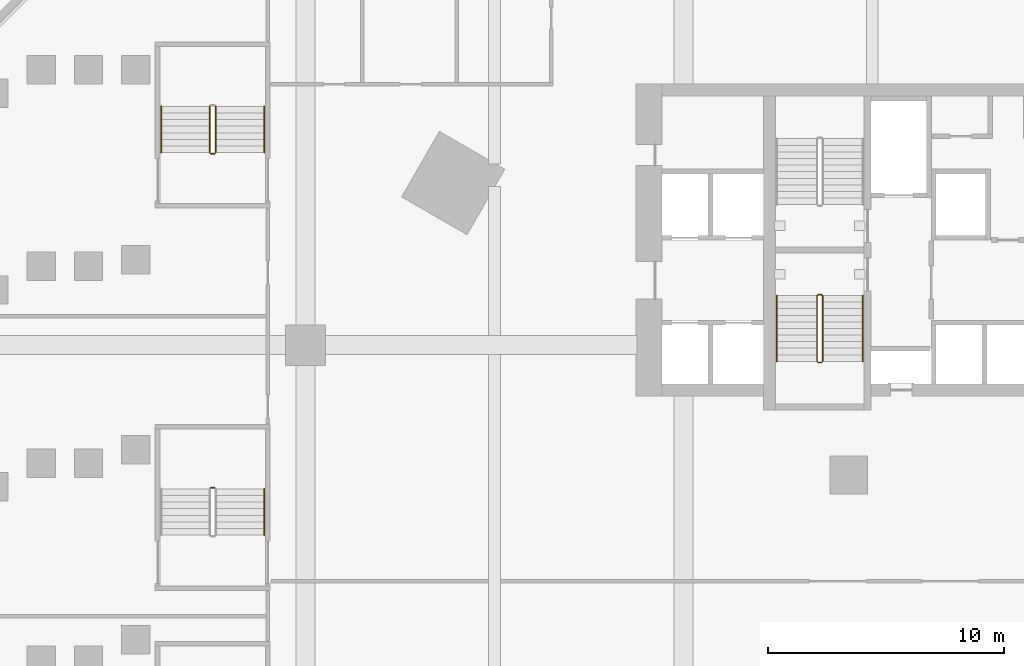
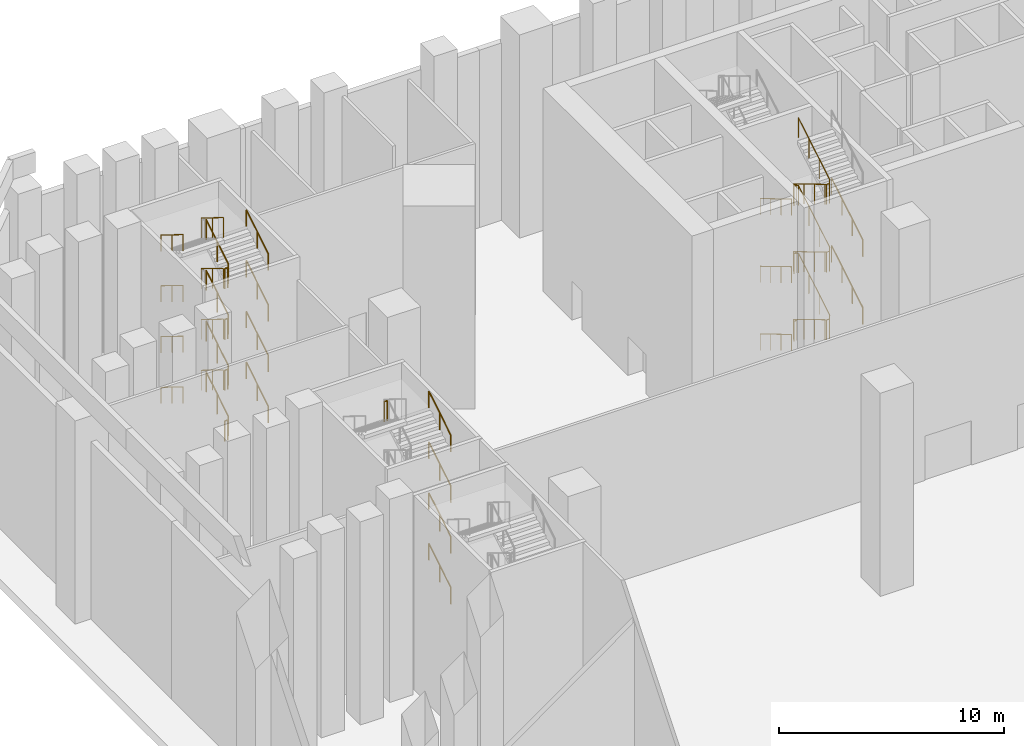
# One storey, part 24 of 31: 31 railings.
"""IFC4 building model written with IfcOpenShell, lengths in metres."""

import ifcopenshell
import ifcopenshell.guid

model = None  # the IFC model being written
_history = None  # IfcOwnerHistory: only IFC2X3 demands one
_inside = {}  # id of a spatial element -> (the spatial element, [elements in it])
_under = {}  # id of a project, library or spatial element -> (it, [spatial elements below it])
_declared = {}  # id of a project -> (the project, [libraries it declares])
_typed = {}  # id of a type object -> (the type object, [elements of that type])
_made_of = {}  # id of a material, layer set ... -> (it, [elements and type objects made of it])


def new_model(schema):
    """Start an empty IFC model of exactly this schema.

    Asked for "IFC4X3", IfcOpenShell would pick the latest addendum, in which some entities
    have other attributes; the version numbers below select the first issue.
    IFC2X3 requires an IfcOwnerHistory on every rooted entity: one is made here for all.
    """
    global model, _history
    if schema == "IFC4X3":
        model = ifcopenshell.file(schema_version=(4, 3, 0, 0))
    else:
        model = ifcopenshell.file(schema=schema)
    _inside.clear()
    _under.clear()
    _declared.clear()
    _typed.clear()
    _made_of.clear()
    _history = None
    if model.schema == "IFC2X3":
        org = make("IfcOrganization", Name="unknown")
        user = make(
            "IfcPersonAndOrganization",
            ThePerson=make("IfcPerson", FamilyName="unknown"),
            TheOrganization=org,
        )
        app = make(
            "IfcApplication",
            ApplicationDeveloper=org,
            Version="unknown",
            ApplicationFullName="unknown",
            ApplicationIdentifier="unknown",
        )
        _history = make(
            "IfcOwnerHistory",
            OwningUser=user,
            OwningApplication=app,
            ChangeAction="ADDED",
            CreationDate=0,
        )
    return model


def make(cls, **values):
    """One entity of the class cls with the attributes given. An attribute that is None is left unset."""
    return model.create_entity(
        cls, **{name: value for name, value in values.items() if value is not None}
    )


def rooted(cls, **values):
    """An entity with a GlobalId (a new one), such as an element, a storey or a relation."""
    return make(cls, GlobalId=ifcopenshell.guid.new(), OwnerHistory=_history, **values)


def si_unit(unit_type, name, prefix=None):
    """IfcSIUnit, for example si_unit("LENGTHUNIT", "METRE", prefix="MILLI")."""
    return make("IfcSIUnit", UnitType=unit_type, Prefix=prefix, Name=name)


def assignment(units):
    """IfcUnitAssignment: the units of a project."""
    return None if units is None else make("IfcUnitAssignment", Units=units)


def point(xyz):
    """IfcCartesianPoint."""
    return None if xyz is None else make("IfcCartesianPoint", Coordinates=xyz)


def direction(xyz):
    """IfcDirection."""
    return None if xyz is None else make("IfcDirection", DirectionRatios=xyz)


def frame(location, z_axis=None, x_axis=None):
    """IfcAxis2Placement3D, a coordinate frame: its origin and axes. An axis left out is left unset."""
    return make(
        "IfcAxis2Placement3D",
        Location=point(location),
        Axis=direction(z_axis),
        RefDirection=direction(x_axis),
    )


def frame_2d(location, x_axis=None):
    """IfcAxis2Placement2D, a coordinate frame in the plane: its origin and x axis."""
    return make(
        "IfcAxis2Placement2D", Location=point(location), RefDirection=direction(x_axis)
    )


def origin():
    """The frame at (0, 0, 0) with its axes left unset."""
    return frame((0.0, 0.0, 0.0))


def origin_2d():
    """The frame at (0, 0) in the plane with its x axis left unset."""
    return frame_2d((0.0, 0.0))


def place(relative_to, where):
    """IfcLocalPlacement: puts the frame where relative to a parent placement (None: the world)."""
    return make(
        "IfcLocalPlacement", PlacementRelTo=relative_to, RelativePlacement=where
    )


def context(
    kind, dimensions, precision=None, world=None, true_north=None, identifier=None
):
    """IfcGeometricRepresentationContext, for example the 3D "Model" context."""
    return make(
        "IfcGeometricRepresentationContext",
        ContextIdentifier=identifier,
        ContextType=kind,
        CoordinateSpaceDimension=dimensions,
        Precision=precision,
        WorldCoordinateSystem=world,
        TrueNorth=true_north,
    )


def subcontext(parent, identifier, kind, view, scale=None):
    """IfcGeometricRepresentationSubContext, for example "Body" below "Model"."""
    return make(
        "IfcGeometricRepresentationSubContext",
        ContextIdentifier=identifier,
        ContextType=kind,
        ParentContext=parent,
        TargetScale=scale,
        TargetView=view,
    )


def project(units=None, contexts=None):
    """IfcProject with its units and contexts."""
    return rooted(
        "IfcProject",
        Name="project",
        RepresentationContexts=contexts,
        UnitsInContext=assignment(units),
    )


def spatial(cls, under=None, at=None, **own):
    """A site, building, storey or space (cls), placed at a placement, below another one or the project."""
    s = rooted(cls, ObjectPlacement=at, **own)
    if under is not None:
        _under.setdefault(under.id(), (under, []))[1].append(s)
    return s


def profile(cls, at=None, kind="AREA", **sizes):
    """A parametric profile (cls). Its sizes go by their IFC names, for example OverallWidth=200.0."""
    return make(cls, ProfileType=kind, Position=at, **sizes)


def circle(**sizes):
    """IfcCircleProfileDef."""
    return profile("IfcCircleProfileDef", **sizes)


def extrude(swept, where, along, depth):
    """IfcExtrudedAreaSolid: the profile swept, set in the frame where, extruded along a direction by depth."""
    return make(
        "IfcExtrudedAreaSolid",
        SweptArea=swept,
        Position=where,
        ExtrudedDirection=direction(along),
        Depth=depth,
    )


def shape(context_of_items, identifier, shape_type, items):
    """IfcShapeRepresentation: the items that make up one representation, for example the "Body"."""
    return make(
        "IfcShapeRepresentation",
        ContextOfItems=context_of_items,
        RepresentationIdentifier=identifier,
        RepresentationType=shape_type,
        Items=items,
    )


def material(Name=None, Category=None):
    """IfcMaterial."""
    return make("IfcMaterial", Name=Name, Category=Category)


def made_of(thing, what):
    """Note that an element or type object is made of a material, layer set ...; save() writes the relation."""
    if what is not None:
        _made_of.setdefault(what.id(), (what, []))[1].append(thing)
    return thing


def type_object(cls, material=None, **own):
    """A type object (cls), such as IfcWallType, which elements share."""
    return made_of(rooted(cls, **own), material)


def element(
    cls,
    number,
    at=None,
    inside=None,
    cuts=None,
    type_object=None,
    material=None,
    context=None,
    identifier="Body",
    shape_type=None,
    held_by="IfcProductDefinitionShape",
    body=None,
    shapes=None,
    **own,
):
    """One element of the class cls, such as IfcWall. Its Tag is "e" and its number.

    at: its placement. inside: the storey or other place that contains it. cuts: it is an
    opening in that element (IfcRelVoidsElement). A single representation is given by context,
    identifier, shape_type and body (its items); several are given by shapes. held_by: the class
    of the entity that holds the representations. save() writes the other relations.
    """
    e = rooted(cls, Tag="e%d" % number, ObjectPlacement=at, **own)
    if body is not None:
        shapes = [shape(context, identifier, shape_type, body)]
    if shapes is not None:
        e.Representation = make(held_by, Representations=shapes)
    if inside is not None:
        _inside.setdefault(inside.id(), (inside, []))[1].append(e)
    if cuts is not None:
        rooted(
            "IfcRelVoidsElement", RelatingBuildingElement=cuts, RelatedOpeningElement=e
        )
    if type_object is not None:
        _typed.setdefault(type_object.id(), (type_object, []))[1].append(e)
    return made_of(e, material)


def aggregate(whole, parts):
    """IfcRelAggregates: a whole, such as a stair, and the parts it consists of."""
    return rooted("IfcRelAggregates", RelatingObject=whole, RelatedObjects=parts)


def save(model, path):
    """Write the relations noted so far, then the file.

    IfcRelAggregates (storeys below a building ...), IfcRelContainedInSpatialStructure (elements
    in a storey), IfcRelDefinesByType, IfcRelAssociatesMaterial and IfcRelDeclares: one each for
    every whole, place, type object, material and project.
    """
    for whole, parts in _under.values():
        aggregate(whole, parts)
    for where, things in _inside.values():
        rooted(
            "IfcRelContainedInSpatialStructure",
            RelatedElements=things,
            RelatingStructure=where,
        )
    for kind, things in _typed.values():
        rooted("IfcRelDefinesByType", RelatedObjects=things, RelatingType=kind)
    for what, things in _made_of.values():
        rooted("IfcRelAssociatesMaterial", RelatedObjects=things, RelatingMaterial=what)
    for by, libraries in _declared.values():
        rooted("IfcRelDeclares", RelatingContext=by, RelatedDefinitions=libraries)
    model.write(path)


model = new_model("IFC4")

# Units and contexts
model_context = context("Model", 3, precision=1e-05, world=origin(), true_north=direction((0.0, 1.0)))
body_context = subcontext(model_context, "Body", "Model", "MODEL_VIEW")
ifc_project = project(units=[si_unit("LENGTHUNIT", "METRE"), si_unit("AREAUNIT", "SQUARE_METRE"), si_unit("VOLUMEUNIT", "CUBIC_METRE"), si_unit("PLANEANGLEUNIT", "RADIAN"), si_unit("MASSUNIT", "GRAM", prefix="KILO")], contexts=[model_context])

# Site, building, storey
site_placement = place(None, origin())
site = spatial("IfcSite", under=ifc_project, at=site_placement, CompositionType="ELEMENT")
building_placement = place(site_placement, origin())
building = spatial("IfcBuilding", under=site, at=building_placement, Name="Calabash Gate Tower", CompositionType="ELEMENT")
storey_placement = place(building_placement, frame((0.0, 0.0, 9.0)))
storey = spatial("IfcBuildingStorey", under=building, at=storey_placement, Name="L01", CompositionType="ELEMENT", Elevation=9.0)

# Railings
ifc_material_1 = material(Name="Black powder-coated steel balusters", Category="steel")
railing_type_1 = type_object("IfcRailingType", Name="Stair guard RL1100", PredefinedType="GUARDRAIL", material=ifc_material_1)
railing_1_placement = place(storey_placement, frame((-10.300048828125, 10.152587890625, 0.0)))
element("IfcRailing", 1, at=railing_1_placement, inside=storey, type_object=railing_type_1, Name="L01 ST2 stair guard 1", PredefinedType="GUARDRAIL", context=body_context, shape_type="SweptSolid", body=[
    extrude(circle(Radius=0.02392578125, at=origin_2d()), frame((0.0, 0.0, 1.076171875), z_axis=(1.0, 0.0, 0.0), x_axis=(0.0, 1.0, 0.0)), (0.0, 0.0, 1.0), 0.150146484375),
    extrude(circle(Radius=0.02392578125, at=origin_2d()), frame((0.150146484375, 0.0, 1.076171875), z_axis=(-0.75457900375, -0.188644750937, 0.628509097026), x_axis=(0.242535625036, -0.970142500145, 0.0)), (0.0, 0.0, 1.0), 0.265380859375),
    extrude(circle(Radius=0.02392578125, at=origin_2d()), frame((-0.050048828125, -0.050048828125, 1.24267578125), z_axis=(0.0, -0.858512034531, 0.512793415095), x_axis=(1.0, 0.0, 0.0)), (0.0, 0.0, 1.0), 3.249755859375),
    extrude(circle(Radius=0.02392578125, at=origin_2d()), frame((-0.050048828125, -2.840087890625, 2.9091796875), z_axis=(0.708833529934, -0.705375805398, 0.0), x_axis=(0.705375805398, 0.708833529934, 0.0)), (0.0, 0.0, 1.0), 0.070556640625),
    extrude(circle(Radius=0.02392578125, at=origin_2d()), frame((0.0, -2.889892578125, 2.9091796875), z_axis=(1.0, 0.0, 0.0), x_axis=(0.0, 1.0, 0.0)), (0.0, 0.0, 1.0), 0.150146484375),
    extrude(circle(Radius=0.02392578125, at=origin_2d()), frame((0.150146484375, -2.889892578125, 2.9091796875), z_axis=(0.275143339093, 0.275143339093, 0.92119068922), x_axis=(-0.707106781187, 0.707106781187, 0.0)), (0.0, 0.0, 1.0), 0.180908203125),
    extrude(circle(Radius=0.02392578125, at=origin_2d()), frame((0.199951171875, -2.840087890625, 3.076171875), z_axis=(0.0, 0.858478961675, 0.512848781183), x_axis=(-1.0, 0.0, 0.0)), (0.0, 0.0, 1.0), 3.25),
    extrude(circle(Radius=0.02392578125, at=origin_2d()), frame((0.199951171875, -0.050048828125, 4.74267578125), z_axis=(-0.970072785993, 0.242814311512, 0.0), x_axis=(-0.242814311512, -0.970072785993, 0.0)), (0.0, 0.0, 1.0), 0.2060546875),
    extrude(circle(Radius=0.02392578125, at=origin_2d()), frame((0.0, 0.0, 4.74267578125), z_axis=(1.0, 0.0, 0.0), x_axis=(0.0, 1.0, 0.0)), (0.0, 0.0, 1.0), 0.150146484375),
    extrude(circle(Radius=0.02392578125, at=origin_2d()), frame((0.150146484375, 0.0, 4.74267578125), z_axis=(-0.755015485205, -0.188753871301, 0.627951903548), x_axis=(0.242535625036, -0.970142500145, 0.0)), (0.0, 0.0, 1.0), 0.26513671875),
    extrude(circle(Radius=0.02392578125, at=origin_2d()), frame((-0.050048828125, -0.050048828125, 4.9091796875), z_axis=(0.0, -0.858478961675, 0.512848781183), x_axis=(1.0, 0.0, 0.0)), (0.0, 0.0, 1.0), 3.25),
    extrude(circle(Radius=0.02392578125, at=origin_2d()), frame((-0.050048828125, -2.840087890625, 6.576171875), z_axis=(0.708833529934, -0.705375805398, 0.0), x_axis=(0.705375805398, 0.708833529934, 0.0)), (0.0, 0.0, 1.0), 0.070556640625),
    extrude(circle(Radius=0.02392578125, at=origin_2d()), frame((0.0, -2.889892578125, 6.576171875), z_axis=(1.0, 0.0, 0.0), x_axis=(0.0, 1.0, 0.0)), (0.0, 0.0, 1.0), 0.150146484375),
    extrude(circle(Radius=0.02392578125, at=origin_2d()), frame((0.150146484375, -2.889892578125, 6.576171875), z_axis=(0.275143339093, 0.275143339093, 0.92119068922), x_axis=(-0.707106781187, 0.707106781187, 0.0)), (0.0, 0.0, 1.0), 0.180908203125),
    extrude(circle(Radius=0.02392578125, at=origin_2d()), frame((0.199951171875, -2.840087890625, 6.74267578125), z_axis=(0.0, 0.858512034531, 0.512793415095), x_axis=(-1.0, 0.0, 0.0)), (0.0, 0.0, 1.0), 3.249755859375),
    extrude(circle(Radius=0.02392578125, at=origin_2d()), frame((0.199951171875, -0.050048828125, 8.4091796875), z_axis=(-0.970072785993, 0.242814311512, 0.0), x_axis=(-0.242814311512, -0.970072785993, 0.0)), (0.0, 0.0, 1.0), 0.2060546875),
    extrude(circle(Radius=0.02392578125, at=origin_2d()), frame((0.0, 0.0, 8.4091796875), z_axis=(1.0, 0.0, 0.0), x_axis=(0.0, 1.0, 0.0)), (0.0, 0.0, 1.0), 0.150146484375),
    extrude(circle(Radius=0.02392578125, at=origin_2d()), frame((0.150146484375, 0.0, 8.4091796875), z_axis=(-0.75457900375, -0.188644750937, 0.628509097026), x_axis=(0.242535625036, -0.970142500145, 0.0)), (0.0, 0.0, 1.0), 0.265380859375),
    extrude(circle(Radius=0.02392578125, at=origin_2d()), frame((-0.050048828125, -0.050048828125, 8.576171875), z_axis=(0.0, -0.858478961675, 0.512848781183), x_axis=(1.0, 0.0, 0.0)), (0.0, 0.0, 1.0), 3.25),
    extrude(circle(Radius=0.02392578125, at=origin_2d()), frame((-0.050048828125, -2.840087890625, 10.24267578125), z_axis=(0.708833529934, -0.705375805398, 0.0), x_axis=(0.705375805398, 0.708833529934, 0.0)), (0.0, 0.0, 1.0), 0.070556640625),
    extrude(circle(Radius=0.02392578125, at=origin_2d()), frame((0.0, -2.889892578125, 10.24267578125), z_axis=(1.0, 0.0, 0.0), x_axis=(0.0, 1.0, 0.0)), (0.0, 0.0, 1.0), 0.150146484375),
    extrude(circle(Radius=0.02392578125, at=origin_2d()), frame((0.150146484375, -2.889892578125, 10.24267578125), z_axis=(0.275485577735, 0.275485577735, 0.920986098114), x_axis=(-0.707106781187, 0.707106781187, 0.0)), (0.0, 0.0, 1.0), 0.180908203125),
    extrude(circle(Radius=0.02392578125, at=origin_2d()), frame((0.199951171875, -2.840087890625, 10.4091796875), z_axis=(0.0, 0.858478961675, 0.512848781183), x_axis=(-1.0, 0.0, 0.0)), (0.0, 0.0, 1.0), 3.25),
    extrude(circle(Radius=0.02099609375, at=origin_2d()), origin(), (0.0, 0.0, 1.0), 1.052001953125),
    extrude(circle(Radius=0.02099609375, at=origin_2d()), frame((0.150146484375, 0.0, 0.0)), (0.0, 0.0, 1.0), 1.052001953125),
    extrude(circle(Radius=0.02099609375, at=origin_2d()), frame((-0.050048828125, -0.050048828125, 0.166748046875)), (0.0, 0.0, 1.0), 1.052001953125),
    extrude(circle(Radius=0.02099609375, at=origin_2d()), frame((-0.050048828125, -0.97998046875, 0.72216796875)), (0.0, 0.0, 1.0), 1.052001953125),
    extrude(circle(Radius=0.02099609375, at=origin_2d()), frame((-0.050048828125, -1.91015625, 1.27783203125)), (0.0, 0.0, 1.0), 1.052001953125),
    extrude(circle(Radius=0.02099609375, at=origin_2d()), frame((-0.050048828125, -2.840087890625, 1.833251953125)), (0.0, 0.0, 1.0), 1.052001953125),
    extrude(circle(Radius=0.02099609375, at=origin_2d()), frame((0.0, -2.889892578125, 1.833251953125)), (0.0, 0.0, 1.0), 1.052001953125),
    extrude(circle(Radius=0.02099609375, at=origin_2d()), frame((0.150146484375, -2.889892578125, 1.833251953125)), (0.0, 0.0, 1.0), 1.052001953125),
    extrude(circle(Radius=0.02099609375, at=origin_2d()), frame((0.199951171875, -2.840087890625, 2.0)), (0.0, 0.0, 1.0), 1.052001953125),
    extrude(circle(Radius=0.02099609375, at=origin_2d()), frame((0.199951171875, -1.91015625, 2.5556640625)), (0.0, 0.0, 1.0), 1.052001953125),
    extrude(circle(Radius=0.02099609375, at=origin_2d()), frame((0.199951171875, -0.97998046875, 3.111083984375)), (0.0, 0.0, 1.0), 1.052001953125),
    extrude(circle(Radius=0.02099609375, at=origin_2d()), frame((0.199951171875, -0.050048828125, 3.666748046875)), (0.0, 0.0, 1.0), 1.052001953125),
    extrude(circle(Radius=0.02099609375, at=origin_2d()), frame((0.0, 0.0, 3.666748046875)), (0.0, 0.0, 1.0), 1.052001953125),
    extrude(circle(Radius=0.02099609375, at=origin_2d()), frame((0.150146484375, 0.0, 3.666748046875)), (0.0, 0.0, 1.0), 1.052001953125),
    extrude(circle(Radius=0.02099609375, at=origin_2d()), frame((-0.050048828125, -0.050048828125, 3.833251953125)), (0.0, 0.0, 1.0), 1.052001953125),
    extrude(circle(Radius=0.02099609375, at=origin_2d()), frame((-0.050048828125, -0.97998046875, 4.388916015625)), (0.0, 0.0, 1.0), 1.052001953125),
    extrude(circle(Radius=0.02099609375, at=origin_2d()), frame((-0.050048828125, -1.91015625, 4.9443359375)), (0.0, 0.0, 1.0), 1.052001953125),
    extrude(circle(Radius=0.02099609375, at=origin_2d()), frame((-0.050048828125, -2.840087890625, 5.5)), (0.0, 0.0, 1.0), 1.052001953125),
    extrude(circle(Radius=0.02099609375, at=origin_2d()), frame((0.0, -2.889892578125, 5.5)), (0.0, 0.0, 1.0), 1.052001953125),
    extrude(circle(Radius=0.02099609375, at=origin_2d()), frame((0.150146484375, -2.889892578125, 5.5)), (0.0, 0.0, 1.0), 1.052001953125),
    extrude(circle(Radius=0.02099609375, at=origin_2d()), frame((0.199951171875, -2.840087890625, 5.666748046875)), (0.0, 0.0, 1.0), 1.052001953125),
    extrude(circle(Radius=0.02099609375, at=origin_2d()), frame((0.199951171875, -1.91015625, 6.22216796875)), (0.0, 0.0, 1.0), 1.052001953125),
    extrude(circle(Radius=0.02099609375, at=origin_2d()), frame((0.199951171875, -0.97998046875, 6.77783203125)), (0.0, 0.0, 1.0), 1.052001953125),
    extrude(circle(Radius=0.02099609375, at=origin_2d()), frame((0.199951171875, -0.050048828125, 7.333251953125)), (0.0, 0.0, 1.0), 1.052001953125),
    extrude(circle(Radius=0.02099609375, at=origin_2d()), frame((0.0, 0.0, 7.333251953125)), (0.0, 0.0, 1.0), 1.052001953125),
    extrude(circle(Radius=0.02099609375, at=origin_2d()), frame((0.150146484375, 0.0, 7.333251953125)), (0.0, 0.0, 1.0), 1.052001953125),
    extrude(circle(Radius=0.02099609375, at=origin_2d()), frame((-0.050048828125, -0.050048828125, 7.5)), (0.0, 0.0, 1.0), 1.052001953125),
    extrude(circle(Radius=0.02099609375, at=origin_2d()), frame((-0.050048828125, -0.97998046875, 8.0556640625)), (0.0, 0.0, 1.0), 1.052001953125),
    extrude(circle(Radius=0.02099609375, at=origin_2d()), frame((-0.050048828125, -1.91015625, 8.611083984375)), (0.0, 0.0, 1.0), 1.052001953125),
    extrude(circle(Radius=0.02099609375, at=origin_2d()), frame((-0.050048828125, -2.840087890625, 9.166748046875)), (0.0, 0.0, 1.0), 1.052001953125),
    extrude(circle(Radius=0.02099609375, at=origin_2d()), frame((0.0, -2.889892578125, 9.166748046875)), (0.0, 0.0, 1.0), 1.052001953125),
    extrude(circle(Radius=0.02099609375, at=origin_2d()), frame((0.150146484375, -2.889892578125, 9.166748046875)), (0.0, 0.0, 1.0), 1.052001953125),
    extrude(circle(Radius=0.02099609375, at=origin_2d()), frame((0.199951171875, -2.840087890625, 9.333251953125)), (0.0, 0.0, 1.0), 1.052001953125),
    extrude(circle(Radius=0.02099609375, at=origin_2d()), frame((0.199951171875, -1.91015625, 9.888916015625)), (0.0, 0.0, 1.0), 1.052001953125),
    extrude(circle(Radius=0.02099609375, at=origin_2d()), frame((0.199951171875, -0.97998046875, 10.4443359375)), (0.0, 0.0, 1.0), 1.052001953125),
    extrude(circle(Radius=0.02099609375, at=origin_2d()), frame((0.199951171875, -0.050048828125, 11.0)), (0.0, 0.0, 1.0), 1.052001953125),
])
railing_2_placement = place(storey_placement, frame((-35.860107421875, 1.962890625, 9.625)))
element("IfcRailing", 2, at=railing_2_placement, inside=storey, type_object=railing_type_1, Name="L01 PS4 stair guard 14", PredefinedType="GUARDRAIL", context=body_context, shape_type="SweptSolid", body=[
    extrude(circle(Radius=0.02392578125, at=origin_2d()), frame((0.0, 0.0, 1.076171875), z_axis=(-1.0, 0.0, 0.0), x_axis=(0.0, -1.0, 0.0)), (0.0, 0.0, 1.0), 0.14990234375),
    extrude(circle(Radius=0.02099609375, at=origin_2d()), origin(), (0.0, 0.0, 1.0), 1.052001953125),
    extrude(circle(Radius=0.02099609375, at=origin_2d()), frame((-0.14990234375, 0.0, 0.0)), (0.0, 0.0, 1.0), 1.052001953125),
])
railing_3_placement = place(storey_placement, frame((-35.81005859375, 16.159912109375, 0.171875)))
element("IfcRailing", 3, at=railing_3_placement, inside=storey, type_object=railing_type_1, Name="L01 PS5 stair guard 1", PredefinedType="GUARDRAIL", context=body_context, shape_type="SweptSolid", body=[
    extrude(circle(Radius=0.02392578125, at=origin_2d()), frame((0.0, 0.0, 1.076171875), z_axis=(0.0, 0.851424364277, 0.524477408394), x_axis=(-1.0, 0.0, 0.0)), (0.0, 0.0, 1.0), 2.2939453125),
    extrude(circle(Radius=0.02099609375, at=origin_2d()), origin(), (0.0, 0.0, 1.0), 1.052001953125),
    extrude(circle(Radius=0.02099609375, at=origin_2d()), frame((0.0, 0.9765625, 0.6015625)), (0.0, 0.0, 1.0), 1.052001953125),
    extrude(circle(Radius=0.02099609375, at=origin_2d()), frame((0.0, 1.953125, 1.203125)), (0.0, 0.0, 1.0), 1.052001953125),
])
railing_4_placement = place(storey_placement, frame((-36.06005859375, 18.113037109375, 1.546875)))
element("IfcRailing", 4, at=railing_4_placement, inside=storey, type_object=railing_type_1, Name="L01 PS5 stair guard 3", PredefinedType="GUARDRAIL", context=body_context, shape_type="SweptSolid", body=[
    extrude(circle(Radius=0.02392578125, at=origin_2d()), frame((0.0, 0.0, 1.076171875), z_axis=(0.0, -0.851424364277, 0.524477408394), x_axis=(1.0, 0.0, 0.0)), (0.0, 0.0, 1.0), 2.2939453125),
    extrude(circle(Radius=0.02099609375, at=origin_2d()), origin(), (0.0, 0.0, 1.0), 1.052001953125),
    extrude(circle(Radius=0.02099609375, at=origin_2d()), frame((0.0, -0.9765625, 0.6015625)), (0.0, 0.0, 1.0), 1.052001953125),
    extrude(circle(Radius=0.02099609375, at=origin_2d()), frame((0.0, -1.953125, 1.203125)), (0.0, 0.0, 1.0), 1.052001953125),
])
railing_5_placement = place(storey_placement, frame((-35.860107421875, 16.110107421875, 2.75)))
element("IfcRailing", 5, at=railing_5_placement, inside=storey, type_object=railing_type_1, Name="L01 PS5 stair guard 4", PredefinedType="GUARDRAIL", context=body_context, shape_type="SweptSolid", body=[
    extrude(circle(Radius=0.02392578125, at=origin_2d()), frame((0.0, 0.0, 1.076171875), z_axis=(-1.0, 0.0, 0.0), x_axis=(0.0, -1.0, 0.0)), (0.0, 0.0, 1.0), 0.14990234375),
    extrude(circle(Radius=0.02099609375, at=origin_2d()), origin(), (0.0, 0.0, 1.0), 1.052001953125),
    extrude(circle(Radius=0.02099609375, at=origin_2d()), frame((-0.14990234375, 0.0, 0.0)), (0.0, 0.0, 1.0), 1.052001953125),
])
railing_6_placement = place(storey_placement, frame((-35.81005859375, 16.159912109375, 2.921875)))
element("IfcRailing", 6, at=railing_6_placement, inside=storey, type_object=railing_type_1, Name="L01 PS5 stair guard 5", PredefinedType="GUARDRAIL", context=body_context, shape_type="SweptSolid", body=[
    extrude(circle(Radius=0.02392578125, at=origin_2d()), frame((0.0, 0.0, 1.076171875), z_axis=(0.0, 0.851424364277, 0.524477408394), x_axis=(-1.0, 0.0, 0.0)), (0.0, 0.0, 1.0), 2.2939453125),
    extrude(circle(Radius=0.02099609375, at=origin_2d()), origin(), (0.0, 0.0, 1.0), 1.052001953125),
    extrude(circle(Radius=0.02099609375, at=origin_2d()), frame((0.0, 0.9765625, 0.6015625)), (0.0, 0.0, 1.0), 1.052001953125),
    extrude(circle(Radius=0.02099609375, at=origin_2d()), frame((0.0, 1.953125, 1.203125)), (0.0, 0.0, 1.0), 1.052001953125),
])
railing_7_placement = place(storey_placement, frame((-36.06005859375, 18.113037109375, 4.296875)))
element("IfcRailing", 7, at=railing_7_placement, inside=storey, type_object=railing_type_1, Name="L01 PS5 stair guard 7", PredefinedType="GUARDRAIL", context=body_context, shape_type="SweptSolid", body=[
    extrude(circle(Radius=0.02392578125, at=origin_2d()), frame((0.0, 0.0, 1.076171875), z_axis=(0.0, -0.851424364277, 0.524477408394), x_axis=(1.0, 0.0, 0.0)), (0.0, 0.0, 1.0), 2.2939453125),
    extrude(circle(Radius=0.02099609375, at=origin_2d()), origin(), (0.0, 0.0, 1.0), 1.052001953125),
    extrude(circle(Radius=0.02099609375, at=origin_2d()), frame((0.0, -0.9765625, 0.6015625)), (0.0, 0.0, 1.0), 1.052001953125),
    extrude(circle(Radius=0.02099609375, at=origin_2d()), frame((0.0, -1.953125, 1.203125)), (0.0, 0.0, 1.0), 1.052001953125),
])
railing_8_placement = place(storey_placement, frame((-35.860107421875, 16.110107421875, 5.5)))
element("IfcRailing", 8, at=railing_8_placement, inside=storey, type_object=railing_type_1, Name="L01 PS5 stair guard 8", PredefinedType="GUARDRAIL", context=body_context, shape_type="SweptSolid", body=[
    extrude(circle(Radius=0.02392578125, at=origin_2d()), frame((0.0, 0.0, 1.076171875), z_axis=(-1.0, 0.0, 0.0), x_axis=(0.0, -1.0, 0.0)), (0.0, 0.0, 1.0), 0.14990234375),
    extrude(circle(Radius=0.02099609375, at=origin_2d()), origin(), (0.0, 0.0, 1.0), 1.052001953125),
    extrude(circle(Radius=0.02099609375, at=origin_2d()), frame((-0.14990234375, 0.0, 0.0)), (0.0, 0.0, 1.0), 1.052001953125),
])
railing_9_placement = place(storey_placement, frame((-35.81005859375, 16.159912109375, 5.671875)))
element("IfcRailing", 9, at=railing_9_placement, inside=storey, type_object=railing_type_1, Name="L01 PS5 stair guard 9", PredefinedType="GUARDRAIL", context=body_context, shape_type="SweptSolid", body=[
    extrude(circle(Radius=0.02392578125, at=origin_2d()), frame((0.0, 0.0, 1.076171875), z_axis=(0.0, 0.851424364277, 0.524477408394), x_axis=(-1.0, 0.0, 0.0)), (0.0, 0.0, 1.0), 2.2939453125),
    extrude(circle(Radius=0.02099609375, at=origin_2d()), origin(), (0.0, 0.0, 1.0), 1.052001953125),
    extrude(circle(Radius=0.02099609375, at=origin_2d()), frame((0.0, 0.9765625, 0.6015625)), (0.0, 0.0, 1.0), 1.052001953125),
    extrude(circle(Radius=0.02099609375, at=origin_2d()), frame((0.0, 1.953125, 1.203125)), (0.0, 0.0, 1.0), 1.052001953125),
])
railing_10_placement = place(storey_placement, frame((-36.06005859375, 18.113037109375, 7.046875)))
element("IfcRailing", 10, at=railing_10_placement, inside=storey, type_object=railing_type_1, Name="L01 PS5 stair guard 11", PredefinedType="GUARDRAIL", context=body_context, shape_type="SweptSolid", body=[
    extrude(circle(Radius=0.02392578125, at=origin_2d()), frame((0.0, 0.0, 1.076171875), z_axis=(0.0, -0.851424364277, 0.524477408394), x_axis=(1.0, 0.0, 0.0)), (0.0, 0.0, 1.0), 2.2939453125),
    extrude(circle(Radius=0.02099609375, at=origin_2d()), origin(), (0.0, 0.0, 1.0), 1.052001953125),
    extrude(circle(Radius=0.02099609375, at=origin_2d()), frame((0.0, -0.9765625, 0.6015625)), (0.0, 0.0, 1.0), 1.052001953125),
    extrude(circle(Radius=0.02099609375, at=origin_2d()), frame((0.0, -1.953125, 1.203125)), (0.0, 0.0, 1.0), 1.052001953125),
])
railing_11_placement = place(storey_placement, frame((-35.860107421875, 16.110107421875, 8.25)))
element("IfcRailing", 11, at=railing_11_placement, inside=storey, type_object=railing_type_1, Name="L01 PS5 stair guard 12", PredefinedType="GUARDRAIL", context=body_context, shape_type="SweptSolid", body=[
    extrude(circle(Radius=0.02392578125, at=origin_2d()), frame((0.0, 0.0, 1.076171875), z_axis=(-1.0, 0.0, 0.0), x_axis=(0.0, -1.0, 0.0)), (0.0, 0.0, 1.0), 0.14990234375),
    extrude(circle(Radius=0.02099609375, at=origin_2d()), origin(), (0.0, 0.0, 1.0), 1.052001953125),
    extrude(circle(Radius=0.02099609375, at=origin_2d()), frame((-0.14990234375, 0.0, 0.0)), (0.0, 0.0, 1.0), 1.052001953125),
])
railing_12_placement = place(storey_placement, frame((-35.81005859375, 16.159912109375, 8.421875)))
element("IfcRailing", 12, at=railing_12_placement, inside=storey, type_object=railing_type_1, Name="L01 PS5 stair guard 13", PredefinedType="GUARDRAIL", context=body_context, shape_type="SweptSolid", body=[
    extrude(circle(Radius=0.02392578125, at=origin_2d()), frame((0.0, 0.0, 1.076171875), z_axis=(0.0, 0.851424364277, 0.524477408394), x_axis=(-1.0, 0.0, 0.0)), (0.0, 0.0, 1.0), 2.2939453125),
    extrude(circle(Radius=0.02099609375, at=origin_2d()), origin(), (0.0, 0.0, 1.0), 1.052001953125),
    extrude(circle(Radius=0.02099609375, at=origin_2d()), frame((0.0, 0.9765625, 0.6015625)), (0.0, 0.0, 1.0), 1.052001953125),
    extrude(circle(Radius=0.02099609375, at=origin_2d()), frame((0.0, 1.953125, 1.203125)), (0.0, 0.0, 1.0), 1.052001953125),
])
railing_13_placement = place(storey_placement, frame((-36.06005859375, 18.113037109375, 9.796875)))
element("IfcRailing", 13, at=railing_13_placement, inside=storey, type_object=railing_type_1, Name="L01 PS5 stair guard 15", PredefinedType="GUARDRAIL", context=body_context, shape_type="SweptSolid", body=[
    extrude(circle(Radius=0.02392578125, at=origin_2d()), frame((0.0, 0.0, 1.076171875), z_axis=(0.0, -0.851424364277, 0.524477408394), x_axis=(1.0, 0.0, 0.0)), (0.0, 0.0, 1.0), 2.2939453125),
    extrude(circle(Radius=0.02099609375, at=origin_2d()), origin(), (0.0, 0.0, 1.0), 1.052001953125),
    extrude(circle(Radius=0.02099609375, at=origin_2d()), frame((0.0, -0.9765625, 0.6015625)), (0.0, 0.0, 1.0), 1.052001953125),
    extrude(circle(Radius=0.02099609375, at=origin_2d()), frame((0.0, -1.953125, 1.203125)), (0.0, 0.0, 1.0), 1.052001953125),
])
railing_14_placement = place(storey_placement, frame((-35.860107421875, 16.110107421875, 0.0)))
element("IfcRailing", 14, at=railing_14_placement, inside=storey, type_object=railing_type_1, Name="L01 PS5 stair guard 16", PredefinedType="GUARDRAIL", context=body_context, shape_type="SweptSolid", body=[
    extrude(circle(Radius=0.02392578125, at=origin_2d()), frame((0.0, 0.0, 1.076171875), z_axis=(-1.0, 0.0, 0.0), x_axis=(0.0, -1.0, 0.0)), (0.0, 0.0, 1.0), 0.14990234375),
    extrude(circle(Radius=0.02099609375, at=origin_2d()), origin(), (0.0, 0.0, 1.0), 1.052001953125),
    extrude(circle(Radius=0.02099609375, at=origin_2d()), frame((-0.14990234375, 0.0, 0.0)), (0.0, 0.0, 1.0), 1.052001953125),
])
ifc_material_2 = material(Name="Black powder-coated steel tube 48 mm", Category="steel")
railing_type_2 = type_object("IfcRailingType", Name="Stair handrail RL900", PredefinedType="HANDRAIL", material=ifc_material_2)
railing_15_placement = place(storey_placement, frame((-12.050048828125, 10.1025390625, 0.166748046875)))
element("IfcRailing", 15, at=railing_15_placement, inside=storey, type_object=railing_type_2, Name="L01 ST2 stair handrail 1", PredefinedType="HANDRAIL", context=body_context, shape_type="SweptSolid", body=[
    extrude(circle(Radius=0.02392578125, at=origin_2d()), frame((0.0, 0.0, 0.8759765625), z_axis=(0.0, -0.858512034531, 0.512793415095), x_axis=(1.0, 0.0, 0.0)), (0.0, 0.0, 1.0), 3.249755859375),
    extrude(circle(Radius=0.02099609375, at=origin_2d()), origin(), (0.0, 0.0, 1.0), 0.851806640625),
    extrude(circle(Radius=0.02099609375, at=origin_2d()), frame((0.0, -0.929931640625, 0.555419921875)), (0.0, 0.0, 1.0), 0.851806640625),
    extrude(circle(Radius=0.02099609375, at=origin_2d()), frame((0.0, -1.860107421875, 1.111083984375)), (0.0, 0.0, 1.0), 0.851806640625),
    extrude(circle(Radius=0.02099609375, at=origin_2d()), frame((0.0, -2.7900390625, 1.66650390625)), (0.0, 0.0, 1.0), 0.851806640625),
])
railing_16_placement = place(storey_placement, frame((-8.39990234375, 7.3125, 2.0)))
element("IfcRailing", 16, at=railing_16_placement, inside=storey, type_object=railing_type_2, Name="L01 ST2 stair handrail 2", PredefinedType="HANDRAIL", context=body_context, shape_type="SweptSolid", body=[
    extrude(circle(Radius=0.02392578125, at=origin_2d()), frame((0.0, 0.0, 0.8759765625), z_axis=(0.0, 0.858478961675, 0.512848781183), x_axis=(-1.0, 0.0, 0.0)), (0.0, 0.0, 1.0), 3.25),
    extrude(circle(Radius=0.02099609375, at=origin_2d()), origin(), (0.0, 0.0, 1.0), 0.851806640625),
    extrude(circle(Radius=0.02099609375, at=origin_2d()), frame((0.0, 0.929931640625, 0.5556640625)), (0.0, 0.0, 1.0), 0.851806640625),
    extrude(circle(Radius=0.02099609375, at=origin_2d()), frame((0.0, 1.860107421875, 1.111083984375)), (0.0, 0.0, 1.0), 0.851806640625),
    extrude(circle(Radius=0.02099609375, at=origin_2d()), frame((0.0, 2.7900390625, 1.666748046875)), (0.0, 0.0, 1.0), 0.851806640625),
])
railing_17_placement = place(storey_placement, frame((-12.050048828125, 10.1025390625, 3.833251953125)))
element("IfcRailing", 17, at=railing_17_placement, inside=storey, type_object=railing_type_2, Name="L01 ST2 stair handrail 3", PredefinedType="HANDRAIL", context=body_context, shape_type="SweptSolid", body=[
    extrude(circle(Radius=0.02392578125, at=origin_2d()), frame((0.0, 0.0, 0.8759765625), z_axis=(0.0, -0.858478961675, 0.512848781183), x_axis=(1.0, 0.0, 0.0)), (0.0, 0.0, 1.0), 3.25),
    extrude(circle(Radius=0.02099609375, at=origin_2d()), origin(), (0.0, 0.0, 1.0), 0.851806640625),
    extrude(circle(Radius=0.02099609375, at=origin_2d()), frame((0.0, -0.929931640625, 0.5556640625)), (0.0, 0.0, 1.0), 0.851806640625),
    extrude(circle(Radius=0.02099609375, at=origin_2d()), frame((0.0, -1.860107421875, 1.111083984375)), (0.0, 0.0, 1.0), 0.851806640625),
    extrude(circle(Radius=0.02099609375, at=origin_2d()), frame((0.0, -2.7900390625, 1.666748046875)), (0.0, 0.0, 1.0), 0.851806640625),
])
railing_18_placement = place(storey_placement, frame((-8.39990234375, 7.3125, 5.666748046875)))
element("IfcRailing", 18, at=railing_18_placement, inside=storey, type_object=railing_type_2, Name="L01 ST2 stair handrail 4", PredefinedType="HANDRAIL", context=body_context, shape_type="SweptSolid", body=[
    extrude(circle(Radius=0.02392578125, at=origin_2d()), frame((0.0, 0.0, 0.8759765625), z_axis=(0.0, 0.858512034531, 0.512793415095), x_axis=(-1.0, 0.0, 0.0)), (0.0, 0.0, 1.0), 3.249755859375),
    extrude(circle(Radius=0.02099609375, at=origin_2d()), origin(), (0.0, 0.0, 1.0), 0.851806640625),
    extrude(circle(Radius=0.02099609375, at=origin_2d()), frame((0.0, 0.929931640625, 0.555419921875)), (0.0, 0.0, 1.0), 0.851806640625),
    extrude(circle(Radius=0.02099609375, at=origin_2d()), frame((0.0, 1.860107421875, 1.111083984375)), (0.0, 0.0, 1.0), 0.851806640625),
    extrude(circle(Radius=0.02099609375, at=origin_2d()), frame((0.0, 2.7900390625, 1.66650390625)), (0.0, 0.0, 1.0), 0.851806640625),
])
railing_19_placement = place(storey_placement, frame((-12.050048828125, 10.1025390625, 7.5)))
element("IfcRailing", 19, at=railing_19_placement, inside=storey, type_object=railing_type_2, Name="L01 ST2 stair handrail 5", PredefinedType="HANDRAIL", context=body_context, shape_type="SweptSolid", body=[
    extrude(circle(Radius=0.02392578125, at=origin_2d()), frame((0.0, 0.0, 0.8759765625), z_axis=(0.0, -0.858478961675, 0.512848781183), x_axis=(1.0, 0.0, 0.0)), (0.0, 0.0, 1.0), 3.25),
    extrude(circle(Radius=0.02099609375, at=origin_2d()), origin(), (0.0, 0.0, 1.0), 0.851806640625),
    extrude(circle(Radius=0.02099609375, at=origin_2d()), frame((0.0, -0.929931640625, 0.5556640625)), (0.0, 0.0, 1.0), 0.851806640625),
    extrude(circle(Radius=0.02099609375, at=origin_2d()), frame((0.0, -1.860107421875, 1.111083984375)), (0.0, 0.0, 1.0), 0.851806640625),
    extrude(circle(Radius=0.02099609375, at=origin_2d()), frame((0.0, -2.7900390625, 1.666748046875)), (0.0, 0.0, 1.0), 0.851806640625),
])
for number, where, name in (
    (20, (-33.75, -0.0400390625, 0.171875), "L01 PS4 stair handrail 1"),
    (21, (-33.75, -0.0400390625, 2.921875), "L01 PS4 stair handrail 3"),
    (22, (-33.75, -0.0400390625, 5.671875), "L01 PS4 stair handrail 5"),
    (23, (-33.75, -0.0400390625, 8.421875), "L01 PS4 stair handrail 7"),
    (24, (-33.75, 16.159912109375, 0.171875), "L01 PS5 stair handrail 1"),
):
    element("IfcRailing", number, at=place(storey_placement, frame(where)), inside=storey, type_object=railing_type_2, Name=name, PredefinedType="HANDRAIL", context=body_context, shape_type="SweptSolid", body=[
        extrude(circle(Radius=0.02392578125, at=origin_2d()), frame((0.0, 0.0, 0.8759765625), z_axis=(0.0, 0.851424364277, 0.524477408394), x_axis=(-1.0, 0.0, 0.0)), (0.0, 0.0, 1.0), 2.2939453125),
        extrude(circle(Radius=0.02099609375, at=origin_2d()), origin(), (0.0, 0.0, 1.0), 0.851806640625),
        extrude(circle(Radius=0.02099609375, at=origin_2d()), frame((0.0, 0.9765625, 0.6015625)), (0.0, 0.0, 1.0), 0.851806640625),
        extrude(circle(Radius=0.02099609375, at=origin_2d()), frame((0.0, 1.953125, 1.203125)), (0.0, 0.0, 1.0), 0.851806640625),
    ])
railing_20_placement = place(storey_placement, frame((-38.1201171875, 18.113037109375, 1.546875)))
element("IfcRailing", 25, at=railing_20_placement, inside=storey, type_object=railing_type_2, Name="L01 PS5 stair handrail 2", PredefinedType="HANDRAIL", context=body_context, shape_type="SweptSolid", body=[
    extrude(circle(Radius=0.02392578125, at=origin_2d()), frame((0.0, 0.0, 0.8759765625), z_axis=(0.0, -0.851424364277, 0.524477408394), x_axis=(1.0, 0.0, 0.0)), (0.0, 0.0, 1.0), 2.2939453125),
    extrude(circle(Radius=0.02099609375, at=origin_2d()), origin(), (0.0, 0.0, 1.0), 0.851806640625),
    extrude(circle(Radius=0.02099609375, at=origin_2d()), frame((0.0, -0.9765625, 0.6015625)), (0.0, 0.0, 1.0), 0.851806640625),
    extrude(circle(Radius=0.02099609375, at=origin_2d()), frame((0.0, -1.953125, 1.203125)), (0.0, 0.0, 1.0), 0.851806640625),
])
railing_21_placement = place(storey_placement, frame((-33.75, 16.159912109375, 2.921875)))
element("IfcRailing", 26, at=railing_21_placement, inside=storey, type_object=railing_type_2, Name="L01 PS5 stair handrail 3", PredefinedType="HANDRAIL", context=body_context, shape_type="SweptSolid", body=[
    extrude(circle(Radius=0.02392578125, at=origin_2d()), frame((0.0, 0.0, 0.8759765625), z_axis=(0.0, 0.851424364277, 0.524477408394), x_axis=(-1.0, 0.0, 0.0)), (0.0, 0.0, 1.0), 2.2939453125),
    extrude(circle(Radius=0.02099609375, at=origin_2d()), origin(), (0.0, 0.0, 1.0), 0.851806640625),
    extrude(circle(Radius=0.02099609375, at=origin_2d()), frame((0.0, 0.9765625, 0.6015625)), (0.0, 0.0, 1.0), 0.851806640625),
    extrude(circle(Radius=0.02099609375, at=origin_2d()), frame((0.0, 1.953125, 1.203125)), (0.0, 0.0, 1.0), 0.851806640625),
])
railing_22_placement = place(storey_placement, frame((-38.1201171875, 18.113037109375, 4.296875)))
element("IfcRailing", 27, at=railing_22_placement, inside=storey, type_object=railing_type_2, Name="L01 PS5 stair handrail 4", PredefinedType="HANDRAIL", context=body_context, shape_type="SweptSolid", body=[
    extrude(circle(Radius=0.02392578125, at=origin_2d()), frame((0.0, 0.0, 0.8759765625), z_axis=(0.0, -0.851424364277, 0.524477408394), x_axis=(1.0, 0.0, 0.0)), (0.0, 0.0, 1.0), 2.2939453125),
    extrude(circle(Radius=0.02099609375, at=origin_2d()), origin(), (0.0, 0.0, 1.0), 0.851806640625),
    extrude(circle(Radius=0.02099609375, at=origin_2d()), frame((0.0, -0.9765625, 0.6015625)), (0.0, 0.0, 1.0), 0.851806640625),
    extrude(circle(Radius=0.02099609375, at=origin_2d()), frame((0.0, -1.953125, 1.203125)), (0.0, 0.0, 1.0), 0.851806640625),
])
railing_23_placement = place(storey_placement, frame((-33.75, 16.159912109375, 5.671875)))
element("IfcRailing", 28, at=railing_23_placement, inside=storey, type_object=railing_type_2, Name="L01 PS5 stair handrail 5", PredefinedType="HANDRAIL", context=body_context, shape_type="SweptSolid", body=[
    extrude(circle(Radius=0.02392578125, at=origin_2d()), frame((0.0, 0.0, 0.8759765625), z_axis=(0.0, 0.851424364277, 0.524477408394), x_axis=(-1.0, 0.0, 0.0)), (0.0, 0.0, 1.0), 2.2939453125),
    extrude(circle(Radius=0.02099609375, at=origin_2d()), origin(), (0.0, 0.0, 1.0), 0.851806640625),
    extrude(circle(Radius=0.02099609375, at=origin_2d()), frame((0.0, 0.9765625, 0.6015625)), (0.0, 0.0, 1.0), 0.851806640625),
    extrude(circle(Radius=0.02099609375, at=origin_2d()), frame((0.0, 1.953125, 1.203125)), (0.0, 0.0, 1.0), 0.851806640625),
])
railing_24_placement = place(storey_placement, frame((-38.1201171875, 18.113037109375, 7.046875)))
element("IfcRailing", 29, at=railing_24_placement, inside=storey, type_object=railing_type_2, Name="L01 PS5 stair handrail 6", PredefinedType="HANDRAIL", context=body_context, shape_type="SweptSolid", body=[
    extrude(circle(Radius=0.02392578125, at=origin_2d()), frame((0.0, 0.0, 0.8759765625), z_axis=(0.0, -0.851424364277, 0.524477408394), x_axis=(1.0, 0.0, 0.0)), (0.0, 0.0, 1.0), 2.2939453125),
    extrude(circle(Radius=0.02099609375, at=origin_2d()), origin(), (0.0, 0.0, 1.0), 0.851806640625),
    extrude(circle(Radius=0.02099609375, at=origin_2d()), frame((0.0, -0.9765625, 0.6015625)), (0.0, 0.0, 1.0), 0.851806640625),
    extrude(circle(Radius=0.02099609375, at=origin_2d()), frame((0.0, -1.953125, 1.203125)), (0.0, 0.0, 1.0), 0.851806640625),
])
railing_25_placement = place(storey_placement, frame((-33.75, 16.159912109375, 8.421875)))
element("IfcRailing", 30, at=railing_25_placement, inside=storey, type_object=railing_type_2, Name="L01 PS5 stair handrail 7", PredefinedType="HANDRAIL", context=body_context, shape_type="SweptSolid", body=[
    extrude(circle(Radius=0.02392578125, at=origin_2d()), frame((0.0, 0.0, 0.8759765625), z_axis=(0.0, 0.851424364277, 0.524477408394), x_axis=(-1.0, 0.0, 0.0)), (0.0, 0.0, 1.0), 2.2939453125),
    extrude(circle(Radius=0.02099609375, at=origin_2d()), origin(), (0.0, 0.0, 1.0), 0.851806640625),
    extrude(circle(Radius=0.02099609375, at=origin_2d()), frame((0.0, 0.9765625, 0.6015625)), (0.0, 0.0, 1.0), 0.851806640625),
    extrude(circle(Radius=0.02099609375, at=origin_2d()), frame((0.0, 1.953125, 1.203125)), (0.0, 0.0, 1.0), 0.851806640625),
])
railing_26_placement = place(storey_placement, frame((-38.1201171875, 18.113037109375, 9.796875)))
element("IfcRailing", 31, at=railing_26_placement, inside=storey, type_object=railing_type_2, Name="L01 PS5 stair handrail 8", PredefinedType="HANDRAIL", context=body_context, shape_type="SweptSolid", body=[
    extrude(circle(Radius=0.02392578125, at=origin_2d()), frame((0.0, 0.0, 0.8759765625), z_axis=(0.0, -0.851424364277, 0.524477408394), x_axis=(1.0, 0.0, 0.0)), (0.0, 0.0, 1.0), 2.2939453125),
    extrude(circle(Radius=0.02099609375, at=origin_2d()), origin(), (0.0, 0.0, 1.0), 0.851806640625),
    extrude(circle(Radius=0.02099609375, at=origin_2d()), frame((0.0, -0.9765625, 0.6015625)), (0.0, 0.0, 1.0), 0.851806640625),
    extrude(circle(Radius=0.02099609375, at=origin_2d()), frame((0.0, -1.953125, 1.203125)), (0.0, 0.0, 1.0), 0.851806640625),
])

save(model, "model.ifc")
